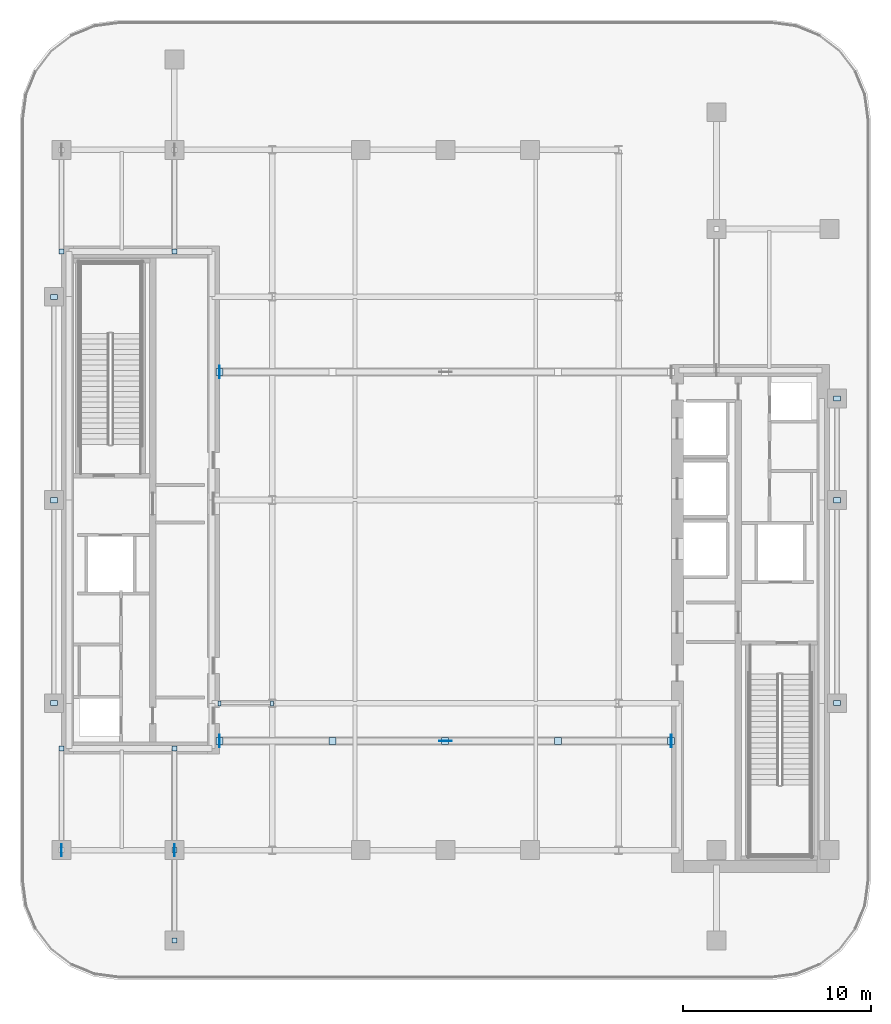
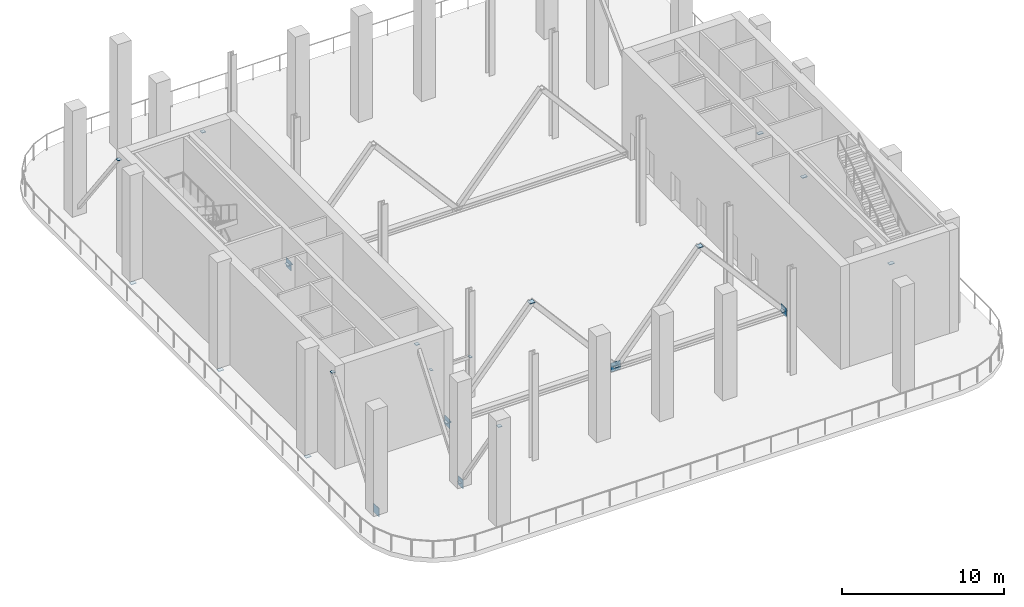
# One storey, part 3 of 12: 26 plates.
"""IFC4 building model written with IfcOpenShell, lengths in metres."""

from ifc_helpers import new_model, si_unit, direction, frame, origin, origin_2d, place, context, subcontext, project, spatial, rectangle, extrude, material, layer, layer_set, type_object, element, save


model = new_model("IFC4")

# Units and contexts
model_context = context("Model", 3, precision=1e-05, world=origin(), true_north=direction((0.0, 1.0)))
body_context = subcontext(model_context, "Body", "Model", "MODEL_VIEW")
ifc_project = project(units=[si_unit("LENGTHUNIT", "METRE"), si_unit("AREAUNIT", "SQUARE_METRE"), si_unit("VOLUMEUNIT", "CUBIC_METRE"), si_unit("PLANEANGLEUNIT", "RADIAN"), si_unit("MASSUNIT", "GRAM", prefix="KILO")], contexts=[model_context])

# Site, building, storey
site_placement = place(None, origin())
site = spatial("IfcSite", under=ifc_project, at=site_placement, CompositionType="ELEMENT")
building_placement = place(site_placement, origin())
building = spatial("IfcBuilding", under=site, at=building_placement, Name="Khairoan Windgate Tower", CompositionType="ELEMENT")
storey_placement = place(building_placement, frame((0.0, 0.0, 214.39990234375)))
storey = spatial("IfcBuildingStorey", under=building, at=storey_placement, Name="L50", CompositionType="ELEMENT", Elevation=214.39990234375)

# Plates
ifc_material_1 = material(Name="Steel S355", Category="steel")
ifc_layer_1 = layer(ifc_material_1, 0.0400390625, Name="Steel S355")
ifc_layer_set_1 = layer_set([ifc_layer_1], Name="Steel S355")
plate_type_1 = type_object("IfcPlateType", Name="Hollow Section End-Cap Plate PL-CAP40", PredefinedType="SHEET", material=ifc_layer_set_1)
for number, where, z_axis, x_axis, name in (
    (1, (-20.800048828125, -10.784912109375, -0.544921875), (0.0, 0.0, 1.0), (0.0, 1.0, 0.0), "BM-SP-L50-028 steel end-cap plate 1"),
    (2, (-20.800048828125, -0.014892578125, -0.544921875), (0.0, 0.0, 1.0), (0.0, 1.0, 0.0), "BM-SP-L50-028 steel end-cap plate 2"),
    (3, (-20.800048828125, 10.784912109375, -0.544921875), (0.0, 0.0, 1.0), (0.0, 1.0, 0.0), "BM-SP-L50-029 steel end-cap plate 2"),
    (4, (20.800048828125, -10.784912109375, -0.544921875), (0.0, 0.0, 1.0), (0.0, 1.0, 0.0), "BM-SP-L50-057 steel end-cap plate 1"),
    (5, (20.800048828125, -0.014892578125, -0.544921875), (0.0, 0.0, 1.0), (0.0, 1.0, 0.0), "BM-SP-L50-057 steel end-cap plate 2"),
    (6, (20.800048828125, 5.385009765625, -0.544921875), (0.0, 0.0, 1.0), (0.0, 1.0, 0.0), "BM-SP-L50-058 steel end-cap plate 2"),
):
    element("IfcPlate", number, at=place(storey_placement, frame(where, z_axis=z_axis, x_axis=x_axis)), inside=storey, type_object=plate_type_1, Name=name, PredefinedType="SHEET", context=body_context, shape_type="SweptSolid", body=[
        extrude(rectangle(XDim=0.27001953125, YDim=0.3701171875, at=origin_2d()), origin(), (0.0, 0.0, 1.0), 0.0400390625),
    ])
for number, where, z_axis, x_axis, name in (
    (7, (-12.0048828125, -10.800048828125, 2.93017578125), (0.0, 0.0, 1.0), (1.0, 0.0, 0.0), "BM-LINTEL-L50 steel end-cap plate 1"),
    (8, (-9.215087890625, -10.800048828125, 2.93017578125), (0.0, 0.0, 1.0), (1.0, 0.0, 0.0), "BM-LINTEL-L50 steel end-cap plate 2"),
):
    element("IfcPlate", number, at=place(storey_placement, frame(where, z_axis=z_axis, x_axis=x_axis)), inside=storey, type_object=plate_type_1, Name=name, PredefinedType="SHEET", context=body_context, shape_type="SweptSolid", body=[
        extrude(rectangle(XDim=0.169921875, YDim=0.27001953125, at=origin_2d()), origin(), (0.0, 0.0, 1.0), 0.0400390625),
    ])
for number, where, z_axis, x_axis, name in (
    (9, (-11.990234375, -12.800048828125, 0.21142578125), (0.0, 0.0, 1.0), (1.0, 0.0, 0.0), "BR-OT-L50-01 steel end-cap plate 1"),
    (10, (-6.009765625, -12.800048828125, 7.15869140625), (0.0, 0.0, 1.0), (1.0, 0.0, 0.0), "BR-OT-L50-01 steel end-cap plate 2"),
    (11, (-0.009765625, -12.800048828125, 0.21142578125), (0.0, 0.0, 1.0), (1.0, 0.0, 0.0), "BR-OT-L50-02 steel end-cap plate 2"),
    (12, (5.990234375, -12.800048828125, 7.15869140625), (0.0, 0.0, 1.0), (1.0, 0.0, 0.0), "BR-OT-L50-03 steel end-cap plate 2"),
    (13, (11.990234375, -12.800048828125, 0.21142578125), (0.0, 0.0, 1.0), (1.0, 0.0, 0.0), "BR-OT-L50-04 steel end-cap plate 2"),
    (14, (-11.990234375, 6.800048828125, 0.21142578125), (0.0, 0.0, 1.0), (1.0, 0.0, 0.0), "BR-OT-L50-05 steel end-cap plate 1"),
):
    element("IfcPlate", number, at=place(storey_placement, frame(where, z_axis=z_axis, x_axis=x_axis)), inside=storey, type_object=plate_type_1, Name=name, PredefinedType="SHEET", context=body_context, shape_type="SweptSolid", body=[
        extrude(rectangle(XDim=0.3701171875, YDim=0.3701171875, at=origin_2d()), origin(), (0.0, 0.0, 1.0), 0.0400390625),
    ])
for number, where, z_axis, x_axis, name in (
    (15, (-20.39990234375, -13.208984375, 7.157958984375), (0.0, 0.0, 1.0), (0.0, 1.0, 0.0), "BR-BT-L50-01 steel end-cap plate 2"),
    (16, (-20.39990234375, 13.208984375, 7.157958984375), (0.0, 0.0, 1.0), (0.0, 1.0, 0.0), "BR-BT-L50-02 steel end-cap plate 1"),
    (17, (-14.39990234375, -18.591064453125, 0.011962890625), (0.0, 0.0, 1.0), (0.0, 1.0, 0.0), "BR-BT-L50-03 steel end-cap plate 1"),
    (18, (-14.39990234375, -13.208984375, 7.157958984375), (0.0, 0.0, 1.0), (0.0, 1.0, 0.0), "BR-BT-L50-03 steel end-cap plate 2"),
    (19, (-14.39990234375, 13.208984375, 7.157958984375), (0.0, 0.0, 1.0), (0.0, 1.0, 0.0), "BR-BT-L50-04 steel end-cap plate 1"),
    (20, (-14.39990234375, -23.3916015625, 7.157470703125), (0.0, 0.0, 1.0), (0.0, 1.0, 0.0), "BR-BT-L50-06 steel end-cap plate 1"),
):
    element("IfcPlate", number, at=place(storey_placement, frame(where, z_axis=z_axis, x_axis=x_axis)), inside=storey, type_object=plate_type_1, Name=name, PredefinedType="SHEET", context=body_context, shape_type="SweptSolid", body=[
        extrude(rectangle(XDim=0.27001953125, YDim=0.27001953125, at=origin_2d()), origin(), (0.0, 0.0, 1.0), 0.0400390625),
    ])
ifc_material_2 = material(Name="Steel S355", Category="steel")
ifc_layer_2 = layer(ifc_material_2, 0.031982421875, Name="Steel S355")
ifc_layer_set_2 = layer_set([ifc_layer_2], Name="Steel S355")
plate_type_2 = type_object("IfcPlateType", Name="Outrigger Node Gusset Plate PL-GUS32", PredefinedType="SHEET", material=ifc_layer_set_2)
for number, where, z_axis, x_axis, name in (
    (21, (-12.0, -12.800048828125, -0.104736328125), (0.0, 0.0, 1.0), (1.0, 0.0, 0.0), "L50 Outrigger Chord West End Gusset"),
    (22, (12.0, -12.800048828125, -0.104736328125), (0.0, 0.0, 1.0), (1.0, 0.0, 0.0), "L50 Outrigger Chord East End Gusset"),
):
    element("IfcPlate", number, at=place(storey_placement, frame(where, z_axis=z_axis, x_axis=x_axis)), inside=storey, type_object=plate_type_2, Name=name, PredefinedType="SHEET", context=body_context, shape_type="SweptSolid", body=[
        extrude(rectangle(XDim=0.031982421875, YDim=0.64990234375, at=origin_2d()), origin(), (0.0, 0.0, 1.0), 0.64990234375),
    ])
plate_placement = place(storey_placement, frame((0.0, -12.800048828125, -0.11962890625), z_axis=(0.0, 0.0, 1.0), x_axis=(1.0, 0.0, 0.0)))
element("IfcPlate", 23, at=plate_placement, inside=storey, type_object=plate_type_2, Name="L50 Outrigger Brace End Gusset 02", PredefinedType="SHEET", context=body_context, shape_type="SweptSolid", body=[
    extrude(rectangle(XDim=0.679931640625, YDim=0.031982421875, at=origin_2d()), origin(), (0.0, 0.0, 1.0), 0.679931640625),
])
for number, where, z_axis, x_axis, name in (
    (24, (-12.0, 6.800048828125, -0.104736328125), (0.0, 0.0, 1.0), (1.0, 0.0, 0.0), "L50 Outrigger Chord West End Gusset"),
    (25, (-20.39990234375, -18.60009765625, -0.304931640625), (0.0, 0.0, 1.0), (1.0, 0.0, 0.0), "L50 Belt Brace Start Gusset 01"),
    (26, (-14.39990234375, -18.60009765625, -0.304931640625), (0.0, 0.0, 1.0), (1.0, 0.0, 0.0), "L50 Belt Brace Start Gusset 03"),
):
    element("IfcPlate", number, at=place(storey_placement, frame(where, z_axis=z_axis, x_axis=x_axis)), inside=storey, type_object=plate_type_2, Name=name, PredefinedType="SHEET", context=body_context, shape_type="SweptSolid", body=[
        extrude(rectangle(XDim=0.031982421875, YDim=0.64990234375, at=origin_2d()), origin(), (0.0, 0.0, 1.0), 0.64990234375),
    ])

save(model, "model.ifc")
